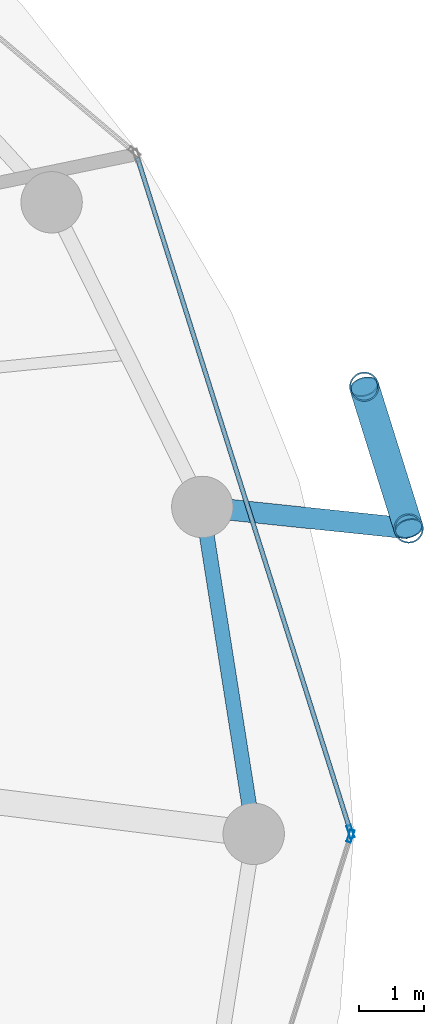
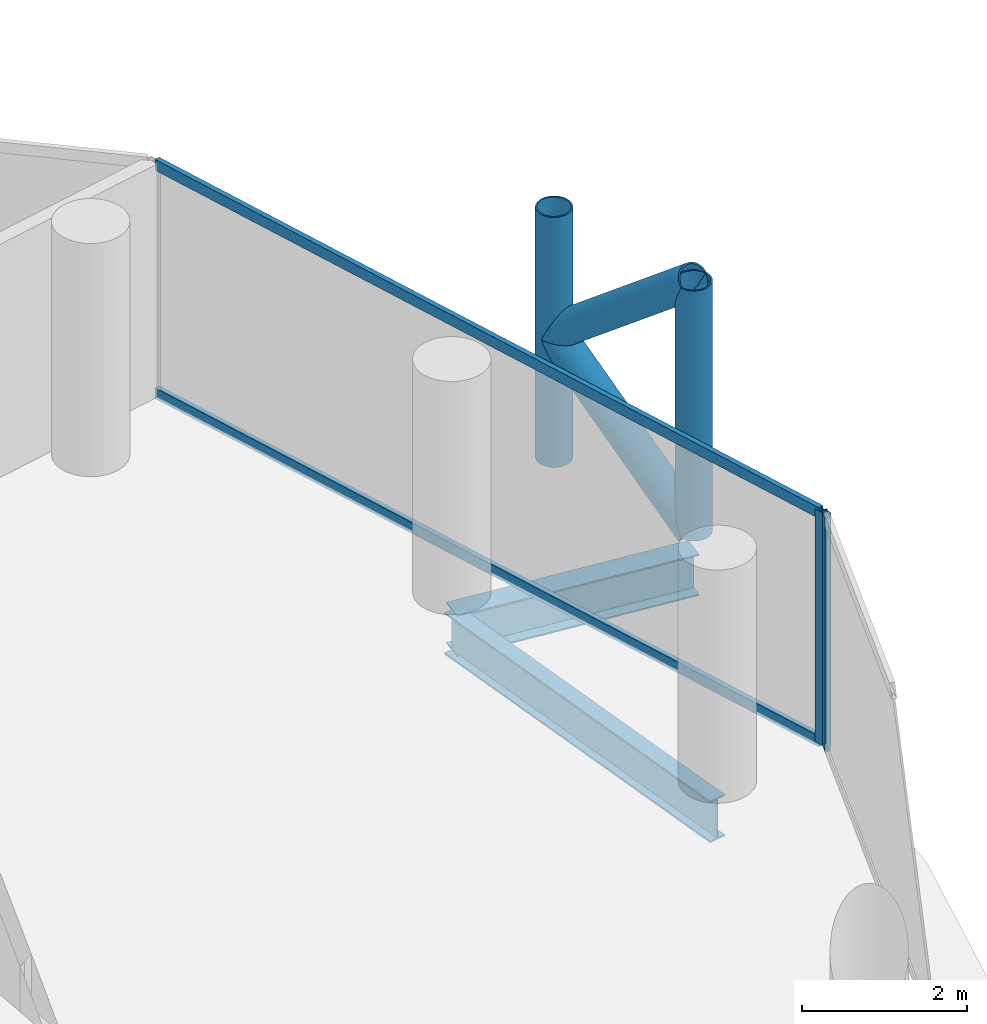
# One storey, part 12 of 26: 8 members, 2 beams, 2 elements without a shape of their own.
"""IFC4 building model written with IfcOpenShell, lengths in metres."""

from ifc_helpers import new_model, si_unit, direction, frame, origin, origin_2d, place, context, subcontext, project, spatial, hollow_rectangle, hollow_circle, i_section, extrude, material, layer, layer_set, material_profile, profile_set, type_object, element, aggregate, save


model = new_model("IFC4")

# Units and contexts
model_context = context("Model", 3, precision=1e-05, world=origin(), true_north=direction((0.0, 1.0)))
body_context = subcontext(model_context, "Body", "Model", "MODEL_VIEW")
ifc_project = project(units=[si_unit("LENGTHUNIT", "METRE"), si_unit("AREAUNIT", "SQUARE_METRE"), si_unit("VOLUMEUNIT", "CUBIC_METRE"), si_unit("PLANEANGLEUNIT", "RADIAN"), si_unit("MASSUNIT", "GRAM", prefix="KILO")], contexts=[model_context])

# Site, building, storey
site_placement = place(None, origin())
site = spatial("IfcSite", under=ifc_project, at=site_placement, CompositionType="ELEMENT")
building_placement = place(site_placement, origin())
building = spatial("IfcBuilding", under=site, at=building_placement, Name="Nuhasar Tower", CompositionType="ELEMENT")
storey_placement = place(building_placement, frame((0.0, 0.0, 144.14990234375)))
storey = spatial("IfcBuildingStorey", under=building, at=storey_placement, Name="L34", CompositionType="ELEMENT", Elevation=144.14990234375)

# Beams
ifc_material_1 = material(Name="Steel S355", Category="steel")
ifc_material_profile_1 = material_profile(ifc_material_1, i_section(OverallWidth=0.22998046875, OverallDepth=0.616943359375, WebThickness=0.01318359375, FlangeThickness=0.022216796875, at=origin_2d()), Name="W24X94")
ifc_profile_set_1 = profile_set([ifc_material_profile_1], Name="Steel S355")
beam_type_1 = type_object("IfcBeamType", Name="BM-RING-W24X94", PredefinedType="SPANDREL", material=ifc_profile_set_1)
beam_1_placement = place(storey_placement, frame((62.35009765625, 26.800048828125, -0.558837890625), z_axis=(-0.155426543608, 0.987847452566, 0.0), x_axis=(-0.987847452566, -0.155426543608, 0.0)))
element("IfcBeam", 1, at=beam_1_placement, inside=storey, type_object=beam_type_1, Name="L34 Perimeter Ring Spandrel 01", PredefinedType="SPANDREL", context=body_context, shape_type="SweptSolid", body=[
    extrude(i_section(OverallWidth=0.22998046875, OverallDepth=0.616943359375, WebThickness=0.01318359375, FlangeThickness=0.022216796875, at=origin_2d()), origin(), (0.0, 0.0, 1.0), 5.122314453125),
])
ifc_material_profile_2 = material_profile(ifc_material_1, i_section(OverallWidth=0.323974609375, OverallDepth=0.611083984375, WebThickness=0.0126953125, FlangeThickness=0.01904296875, at=origin_2d()), Name="W24X104")
ifc_profile_set_2 = profile_set([ifc_material_profile_2], Name="Steel S355")
beam_type_2 = type_object("IfcBeamType", Name="BM-TIE-W24X104", PredefinedType="BEAM", material=ifc_profile_set_2)
beam_2_placement = place(storey_placement, frame((61.553955078125, 31.860107421875, -0.554931640625), z_axis=(0.994569828715, -0.104071397654, 0.0), x_axis=(0.104071397654, 0.994569828715, 0.0)))
element("IfcBeam", 2, at=beam_2_placement, inside=storey, type_object=beam_type_2, Name="L34 Exoskeleton Node Tie Beam 01", PredefinedType="BEAM", context=body_context, shape_type="SweptSolid", body=[
    extrude(i_section(OverallWidth=0.323974609375, OverallDepth=0.611083984375, WebThickness=0.0126953125, FlangeThickness=0.01904296875, at=origin_2d()), origin(), (0.0, 0.0, 1.0), 3.21142578125),
])

# Curtain wall, member
ifc_material_2 = material(Name="Aluminium 6063-T6", Category="aluminium")
ifc_layer = layer(ifc_material_2, 0.199951171875)
ifc_layer_set = layer_set([ifc_layer], Name="Aluminium 6063-T6")
curtain_wall_type = type_object("IfcCurtainWallType", Name="CW-Z2-HTL", PredefinedType="NOTDEFINED", material=ifc_layer_set)
curtain_wall_1_placement = place(storey_placement, origin())
curtain_wall_1 = element("IfcCurtainWall", 3, at=curtain_wall_1_placement, inside=storey, type_object=curtain_wall_type, Name="L34 Unitised Curtain Wall 01", PredefinedType="NOTDEFINED")
ifc_material_profile_3 = material_profile(ifc_material_2, hollow_rectangle(XDim=0.070068359375, YDim=0.199951171875, WallThickness=0.0048828125, at=origin_2d()), Name="CWM-3")
ifc_profile_set_3 = profile_set([ifc_material_profile_3], Name="Aluminium 6063-T6")
member_type_1 = type_object("IfcMemberType", Name="CW-MUL-S3", PredefinedType="MULLION", material=ifc_profile_set_3)
member_1_placement = place(storey_placement, frame((63.849365234375, 26.833251953125, 0.0), z_axis=(0.0, 0.0, 1.0), x_axis=(-0.953433389233, -0.301603667577, 0.0)))
member_1 = element("IfcMember", 4, at=member_1_placement, type_object=member_type_1, Name="CW-Z2 mullion 1", PredefinedType="MULLION", context=body_context, shape_type="SweptSolid", body=[
    extrude(hollow_rectangle(XDim=0.070068359375, YDim=0.199951171875, WallThickness=0.0048828125, at=origin_2d()), origin(), (0.0, 0.0, 1.0), 3.4501953125),
])

curtain_wall_2_placement = place(storey_placement, origin())
curtain_wall_2 = element("IfcCurtainWall", 5, at=curtain_wall_2_placement, inside=storey, type_object=curtain_wall_type, Name="L34 Unitised Curtain Wall 12", PredefinedType="NOTDEFINED")
member_2_placement = place(storey_placement, frame((63.849365234375, 26.7666015625, 0.0), z_axis=(0.0, 0.0, 1.0), x_axis=(-0.953433389233, 0.301603667577, 0.0)))
member_2 = element("IfcMember", 6, at=member_2_placement, type_object=member_type_1, Name="CW-Z2 mullion 2", PredefinedType="MULLION", context=body_context, shape_type="SweptSolid", body=[
    extrude(hollow_rectangle(XDim=0.070068359375, YDim=0.199951171875, WallThickness=0.0048828125, at=origin_2d()), origin(), (0.0, 0.0, 1.0), 3.4501953125),
])
aggregate(curtain_wall_2, [member_2])

# Member
ifc_material_profile_4 = material_profile(ifc_material_2, hollow_rectangle(XDim=0.070068359375, YDim=0.159912109375, WallThickness=0.00439453125, at=origin_2d()), Name="CWT-3")
ifc_profile_set_4 = profile_set([ifc_material_profile_4], Name="Aluminium 6063-T6")
member_type_2 = type_object("IfcMemberType", Name="CW-TRN-S3", PredefinedType="USERDEFINED", material=ifc_profile_set_4)
member_3_placement = place(storey_placement, frame((63.8388671875, 26.86669921875, 0.03515625), z_axis=(-0.301608163352, 0.953431967053, 0.0), x_axis=(-0.953431967053, -0.301608163352, 0.0)))
member_3 = element("IfcMember", 7, at=member_3_placement, type_object=member_type_2, Name="CW-Z2 transom 1.1", ObjectType="TRANSOM", PredefinedType="USERDEFINED", context=body_context, shape_type="SweptSolid", body=[
    extrude(hollow_rectangle(XDim=0.070068359375, YDim=0.159912109375, WallThickness=0.00439453125, at=origin_2d()), origin(), (0.0, 0.0, 1.0), 10.904296875),
])

member_4_placement = place(storey_placement, frame((63.8388671875, 26.86669921875, 3.4150390625), z_axis=(-0.301608163352, 0.953431967053, 0.0), x_axis=(-0.953431967053, -0.301608163352, 0.0)))
member_4 = element("IfcMember", 8, at=member_4_placement, type_object=member_type_2, Name="CW-Z2 transom 1.2", ObjectType="TRANSOM", PredefinedType="USERDEFINED", context=body_context, shape_type="SweptSolid", body=[
    extrude(hollow_rectangle(XDim=0.070068359375, YDim=0.159912109375, WallThickness=0.00439453125, at=origin_2d()), origin(), (0.0, 0.0, 1.0), 10.904296875),
])

aggregate(curtain_wall_1, [member_1, member_3, member_4])

# Members
ifc_material_3 = material(Name="Steel S460", Category="steel")
ifc_material_profile_5 = material_profile(ifc_material_3, hollow_circle(Radius=0.228515625, WallThickness=0.022216796875, at=origin_2d()), Name="HSS457X22.2")
ifc_profile_set_5 = profile_set([ifc_material_profile_5], Name="Steel S460")
member_type_3 = type_object("IfcMemberType", Name="EXO-BRONZE-457", PredefinedType="BRACE", material=ifc_profile_set_5)
for number, where, z_axis, x_axis, name in (
    (9, (64.748046875, 31.52587890625, 0.0), (0.0, 0.0, 1.0), (1.0, 0.0, 0.0), "L34 Exoskeleton Chord Column EC-01A"),
    (10, (64.06005859375, 33.720947265625, 0.0), (0.0, 0.0, 1.0), (1.0, 0.0, 0.0), "L34 Exoskeleton Chord Column EC-01B"),
):
    element("IfcMember", number, at=place(storey_placement, frame(where, z_axis=z_axis, x_axis=x_axis)), inside=storey, type_object=member_type_3, Name=name, PredefinedType="BRACE", context=body_context, shape_type="SweptSolid", body=[
        extrude(hollow_circle(Radius=0.228515625, WallThickness=0.022216796875, at=origin_2d()), origin(), (0.0, 0.0, 1.0), 3.7001953125),
    ])
for number, where, z_axis, x_axis, name in (
    (11, (64.748046875, 31.52587890625, 0.0), (-0.233055548538, 0.743577869731, 0.626719285599), (-0.954228474306, -0.29907861646, 0.0), "L34 Bronze Diagrid Brace W1-01"),
    (12, (64.06005859375, 33.720947265625, 1.85009765625), (0.233055548538, -0.743577869731, 0.626719285599), (0.954228474306, 0.29907861646, 0.0), "L34 Bronze Diagrid Brace W2-01"),
):
    element("IfcMember", number, at=place(storey_placement, frame(where, z_axis=z_axis, x_axis=x_axis)), inside=storey, type_object=member_type_3, Name=name, PredefinedType="BRACE", context=body_context, shape_type="SweptSolid", body=[
        extrude(hollow_circle(Radius=0.228515625, WallThickness=0.022216796875, at=origin_2d()), origin(), (0.0, 0.0, 1.0), 2.9521484375),
    ])

save(model, "model.ifc")
